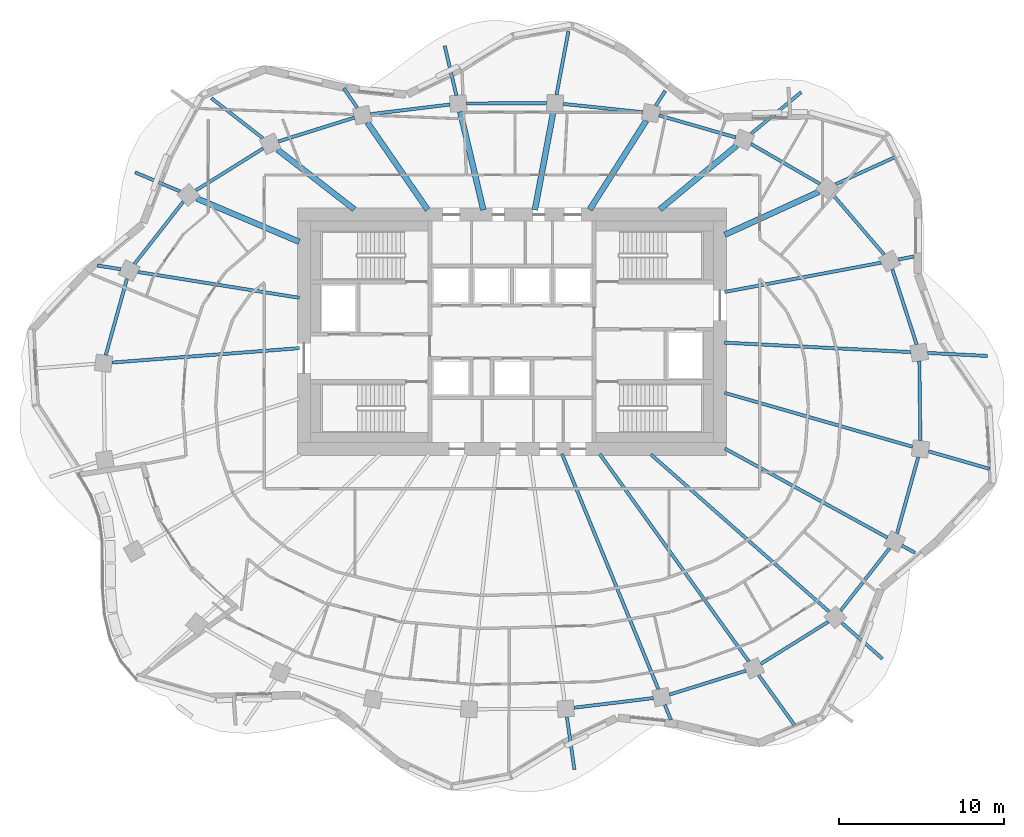
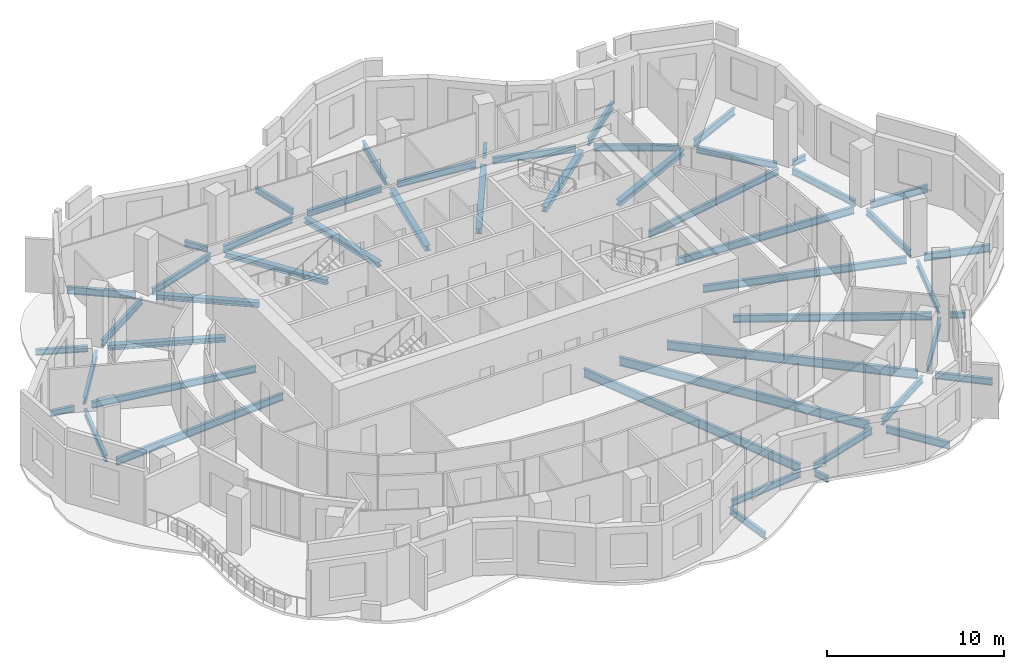
# One storey, part 3 of 13: 51 beams.
"""IFC4 building model written with IfcOpenShell, lengths in metres."""

import ifcopenshell
import ifcopenshell.guid

model = None  # the IFC model being written
_history = None  # IfcOwnerHistory: only IFC2X3 demands one
_inside = {}  # id of a spatial element -> (the spatial element, [elements in it])
_under = {}  # id of a project, library or spatial element -> (it, [spatial elements below it])
_declared = {}  # id of a project -> (the project, [libraries it declares])
_typed = {}  # id of a type object -> (the type object, [elements of that type])
_made_of = {}  # id of a material, layer set ... -> (it, [elements and type objects made of it])


def new_model(schema):
    """Start an empty IFC model of exactly this schema.

    Asked for "IFC4X3", IfcOpenShell would pick the latest addendum, in which some entities
    have other attributes; the version numbers below select the first issue.
    IFC2X3 requires an IfcOwnerHistory on every rooted entity: one is made here for all.
    """
    global model, _history
    if schema == "IFC4X3":
        model = ifcopenshell.file(schema_version=(4, 3, 0, 0))
    else:
        model = ifcopenshell.file(schema=schema)
    _inside.clear()
    _under.clear()
    _declared.clear()
    _typed.clear()
    _made_of.clear()
    _history = None
    if model.schema == "IFC2X3":
        org = make("IfcOrganization", Name="unknown")
        user = make(
            "IfcPersonAndOrganization",
            ThePerson=make("IfcPerson", FamilyName="unknown"),
            TheOrganization=org,
        )
        app = make(
            "IfcApplication",
            ApplicationDeveloper=org,
            Version="unknown",
            ApplicationFullName="unknown",
            ApplicationIdentifier="unknown",
        )
        _history = make(
            "IfcOwnerHistory",
            OwningUser=user,
            OwningApplication=app,
            ChangeAction="ADDED",
            CreationDate=0,
        )
    return model


def make(cls, **values):
    """One entity of the class cls with the attributes given. An attribute that is None is left unset."""
    return model.create_entity(
        cls, **{name: value for name, value in values.items() if value is not None}
    )


def rooted(cls, **values):
    """An entity with a GlobalId (a new one), such as an element, a storey or a relation."""
    return make(cls, GlobalId=ifcopenshell.guid.new(), OwnerHistory=_history, **values)


def si_unit(unit_type, name, prefix=None):
    """IfcSIUnit, for example si_unit("LENGTHUNIT", "METRE", prefix="MILLI")."""
    return make("IfcSIUnit", UnitType=unit_type, Prefix=prefix, Name=name)


def assignment(units):
    """IfcUnitAssignment: the units of a project."""
    return None if units is None else make("IfcUnitAssignment", Units=units)


def point(xyz):
    """IfcCartesianPoint."""
    return None if xyz is None else make("IfcCartesianPoint", Coordinates=xyz)


def direction(xyz):
    """IfcDirection."""
    return None if xyz is None else make("IfcDirection", DirectionRatios=xyz)


def frame(location, z_axis=None, x_axis=None):
    """IfcAxis2Placement3D, a coordinate frame: its origin and axes. An axis left out is left unset."""
    return make(
        "IfcAxis2Placement3D",
        Location=point(location),
        Axis=direction(z_axis),
        RefDirection=direction(x_axis),
    )


def frame_2d(location, x_axis=None):
    """IfcAxis2Placement2D, a coordinate frame in the plane: its origin and x axis."""
    return make(
        "IfcAxis2Placement2D", Location=point(location), RefDirection=direction(x_axis)
    )


def origin():
    """The frame at (0, 0, 0) with its axes left unset."""
    return frame((0.0, 0.0, 0.0))


def origin_2d():
    """The frame at (0, 0) in the plane with its x axis left unset."""
    return frame_2d((0.0, 0.0))


def place(relative_to, where):
    """IfcLocalPlacement: puts the frame where relative to a parent placement (None: the world)."""
    return make(
        "IfcLocalPlacement", PlacementRelTo=relative_to, RelativePlacement=where
    )


def context(
    kind, dimensions, precision=None, world=None, true_north=None, identifier=None
):
    """IfcGeometricRepresentationContext, for example the 3D "Model" context."""
    return make(
        "IfcGeometricRepresentationContext",
        ContextIdentifier=identifier,
        ContextType=kind,
        CoordinateSpaceDimension=dimensions,
        Precision=precision,
        WorldCoordinateSystem=world,
        TrueNorth=true_north,
    )


def subcontext(parent, identifier, kind, view, scale=None):
    """IfcGeometricRepresentationSubContext, for example "Body" below "Model"."""
    return make(
        "IfcGeometricRepresentationSubContext",
        ContextIdentifier=identifier,
        ContextType=kind,
        ParentContext=parent,
        TargetScale=scale,
        TargetView=view,
    )


def project(units=None, contexts=None):
    """IfcProject with its units and contexts."""
    return rooted(
        "IfcProject",
        Name="project",
        RepresentationContexts=contexts,
        UnitsInContext=assignment(units),
    )


def spatial(cls, under=None, at=None, **own):
    """A site, building, storey or space (cls), placed at a placement, below another one or the project."""
    s = rooted(cls, ObjectPlacement=at, **own)
    if under is not None:
        _under.setdefault(under.id(), (under, []))[1].append(s)
    return s


def profile(cls, at=None, kind="AREA", **sizes):
    """A parametric profile (cls). Its sizes go by their IFC names, for example OverallWidth=200.0."""
    return make(cls, ProfileType=kind, Position=at, **sizes)


def i_section(**sizes):
    """IfcIShapeProfileDef."""
    return profile("IfcIShapeProfileDef", **sizes)


def extrude(swept, where, along, depth):
    """IfcExtrudedAreaSolid: the profile swept, set in the frame where, extruded along a direction by depth."""
    return make(
        "IfcExtrudedAreaSolid",
        SweptArea=swept,
        Position=where,
        ExtrudedDirection=direction(along),
        Depth=depth,
    )


def shape(context_of_items, identifier, shape_type, items):
    """IfcShapeRepresentation: the items that make up one representation, for example the "Body"."""
    return make(
        "IfcShapeRepresentation",
        ContextOfItems=context_of_items,
        RepresentationIdentifier=identifier,
        RepresentationType=shape_type,
        Items=items,
    )


def material(Name=None, Category=None):
    """IfcMaterial."""
    return make("IfcMaterial", Name=Name, Category=Category)


def material_profile(
    of_material, cross_section, Name=None, Category=None, Priority=None
):
    """IfcMaterialProfile: a cross section and its material."""
    return make(
        "IfcMaterialProfile",
        Name=Name,
        Material=of_material,
        Profile=cross_section,
        Priority=Priority,
        Category=Category,
    )


def profile_set(profiles, Name=None, composite=None):
    """IfcMaterialProfileSet."""
    return make(
        "IfcMaterialProfileSet",
        Name=Name,
        MaterialProfiles=profiles,
        CompositeProfile=composite,
    )


def made_of(thing, what):
    """Note that an element or type object is made of a material, layer set ...; save() writes the relation."""
    if what is not None:
        _made_of.setdefault(what.id(), (what, []))[1].append(thing)
    return thing


def type_object(cls, material=None, **own):
    """A type object (cls), such as IfcWallType, which elements share."""
    return made_of(rooted(cls, **own), material)


def element(
    cls,
    number,
    at=None,
    inside=None,
    cuts=None,
    type_object=None,
    material=None,
    context=None,
    identifier="Body",
    shape_type=None,
    held_by="IfcProductDefinitionShape",
    body=None,
    shapes=None,
    **own,
):
    """One element of the class cls, such as IfcWall. Its Tag is "e" and its number.

    at: its placement. inside: the storey or other place that contains it. cuts: it is an
    opening in that element (IfcRelVoidsElement). A single representation is given by context,
    identifier, shape_type and body (its items); several are given by shapes. held_by: the class
    of the entity that holds the representations. save() writes the other relations.
    """
    e = rooted(cls, Tag="e%d" % number, ObjectPlacement=at, **own)
    if body is not None:
        shapes = [shape(context, identifier, shape_type, body)]
    if shapes is not None:
        e.Representation = make(held_by, Representations=shapes)
    if inside is not None:
        _inside.setdefault(inside.id(), (inside, []))[1].append(e)
    if cuts is not None:
        rooted(
            "IfcRelVoidsElement", RelatingBuildingElement=cuts, RelatedOpeningElement=e
        )
    if type_object is not None:
        _typed.setdefault(type_object.id(), (type_object, []))[1].append(e)
    return made_of(e, material)


def aggregate(whole, parts):
    """IfcRelAggregates: a whole, such as a stair, and the parts it consists of."""
    return rooted("IfcRelAggregates", RelatingObject=whole, RelatedObjects=parts)


def save(model, path):
    """Write the relations noted so far, then the file.

    IfcRelAggregates (storeys below a building ...), IfcRelContainedInSpatialStructure (elements
    in a storey), IfcRelDefinesByType, IfcRelAssociatesMaterial and IfcRelDeclares: one each for
    every whole, place, type object, material and project.
    """
    for whole, parts in _under.values():
        aggregate(whole, parts)
    for where, things in _inside.values():
        rooted(
            "IfcRelContainedInSpatialStructure",
            RelatedElements=things,
            RelatingStructure=where,
        )
    for kind, things in _typed.values():
        rooted("IfcRelDefinesByType", RelatedObjects=things, RelatingType=kind)
    for what, things in _made_of.values():
        rooted("IfcRelAssociatesMaterial", RelatedObjects=things, RelatingMaterial=what)
    for by, libraries in _declared.values():
        rooted("IfcRelDeclares", RelatingContext=by, RelatedDefinitions=libraries)
    model.write(path)


model = new_model("IFC4")

# Units and contexts
model_context = context("Model", 3, precision=1e-05, world=origin(), true_north=direction((0.0, 1.0)))
body_context = subcontext(model_context, "Body", "Model", "MODEL_VIEW")
ifc_project = project(units=[si_unit("LENGTHUNIT", "METRE"), si_unit("AREAUNIT", "SQUARE_METRE"), si_unit("VOLUMEUNIT", "CUBIC_METRE"), si_unit("PLANEANGLEUNIT", "RADIAN"), si_unit("MASSUNIT", "GRAM", prefix="KILO")], contexts=[model_context])

# Site, building, storey
site_placement = place(None, origin())
site = spatial("IfcSite", under=ifc_project, at=site_placement, CompositionType="ELEMENT")
building_placement = place(site_placement, origin())
building = spatial("IfcBuilding", under=site, at=building_placement, Name="Rubra Terraces Tower", CompositionType="ELEMENT")
storey_placement = place(building_placement, frame((0.0, 0.0, 233.10009765625)))
storey = spatial("IfcBuildingStorey", under=building, at=storey_placement, Name="L57", CompositionType="ELEMENT", Elevation=233.10009765625)

# Beams
ifc_material = material(Name="Steel Q355B", Category="steel")
ifc_material_profile_1 = material_profile(ifc_material, i_section(OverallWidth=0.199951171875, OverallDepth=0.39990234375, WebThickness=0.008056640625, FlangeThickness=0.012939453125, at=origin_2d()), Name="HN 400x200x8x13")
ifc_profile_set_1 = profile_set([ifc_material_profile_1], Name="Steel Q355B")
beam_type_1 = type_object("IfcBeamType", Name="CANTILEVER BEAM HN 400x200x8x13", PredefinedType="BEAM", material=ifc_profile_set_1)
beam_1_placement = place(storey_placement, frame((-3.3701171875, 18.823974609375, -0.400146484375), z_axis=(-0.229158621159, 0.973389092988, 0.0), x_axis=(-0.973389092988, -0.229158621159, 0.0)))
element("IfcBeam", 1, at=beam_1_placement, inside=storey, type_object=beam_type_1, Name="beam-L57-cant-07", PredefinedType="BEAM", context=body_context, shape_type="SweptSolid", body=[
    extrude(i_section(OverallWidth=0.199951171875, OverallDepth=0.39990234375, WebThickness=0.008056640625, FlangeThickness=0.012939453125, at=origin_2d()), origin(), (0.0, 0.0, 1.0), 3.080078125),
])
beam_2_placement = place(storey_placement, frame((-20.10205078125, 13.0048828125, -0.400146484375), z_axis=(-0.920868185487, 0.389874062946, 0.0), x_axis=(-0.389874062946, -0.920868185487, 0.0)))
element("IfcBeam", 2, at=beam_2_placement, inside=storey, type_object=beam_type_1, Name="beam-L57-cant-10", PredefinedType="BEAM", context=body_context, shape_type="SweptSolid", body=[
    extrude(i_section(OverallWidth=0.199951171875, OverallDepth=0.39990234375, WebThickness=0.008056640625, FlangeThickness=0.012939453125, at=origin_2d()), origin(), (0.0, 0.0, 1.0), 2.9599609375),
])
ifc_material_profile_2 = material_profile(ifc_material, i_section(OverallWidth=0.198974609375, OverallDepth=0.446044921875, WebThickness=0.008056640625, FlangeThickness=0.011962890625, at=origin_2d()), Name="HN 446x199x8x12")
ifc_profile_set_2 = profile_set([ifc_material_profile_2], Name="Steel Q355B")
beam_type_2 = type_object("IfcBeamType", Name="CANTILEVER BEAM HN 446x199x8x12", PredefinedType="BEAM", material=ifc_profile_set_2)
beam_3_placement = place(storey_placement, frame((3.324951171875, -18.826904296875, -0.423095703125), z_axis=(0.141017135848, -0.990007155225, 0.0), x_axis=(0.990007155225, 0.141017135848, 0.0)))
element("IfcBeam", 3, at=beam_3_placement, inside=storey, type_object=beam_type_2, Name="beam-L57-cant-19", PredefinedType="BEAM", context=body_context, shape_type="SweptSolid", body=[
    extrude(i_section(OverallWidth=0.198974609375, OverallDepth=0.446044921875, WebThickness=0.008056640625, FlangeThickness=0.011962890625, at=origin_2d()), origin(), (0.0, 0.0, 1.0), 3.21337890625),
])
beam_4_placement = place(storey_placement, frame((19.969970703125, -13.123046875, -0.423095703125), z_axis=(0.749902745466, -0.661548087702, 0.0), x_axis=(0.661548087702, 0.749902745466, 0.0)))
element("IfcBeam", 4, at=beam_4_placement, inside=storey, type_object=beam_type_2, Name="beam-L57-cant-22", PredefinedType="BEAM", context=body_context, shape_type="SweptSolid", body=[
    extrude(i_section(OverallWidth=0.198974609375, OverallDepth=0.446044921875, WebThickness=0.008056640625, FlangeThickness=0.011962890625, at=origin_2d()), origin(), (0.0, 0.0, 1.0), 3.293701171875),
])
ifc_material_profile_3 = material_profile(ifc_material, i_section(OverallWidth=0.198974609375, OverallDepth=0.49609375, WebThickness=0.009033203125, FlangeThickness=0.013916015625, at=origin_2d()), Name="HN 496x199x9x14")
ifc_profile_set_3 = profile_set([ifc_material_profile_3], Name="Steel Q355B")
beam_type_3 = type_object("IfcBeamType", Name="CANTILEVER BEAM HN 496x199x9x14", PredefinedType="BEAM", material=ifc_profile_set_3)
beam_5_placement = place(storey_placement, frame((25.179931640625, 3.221923828125, -0.447998046875), z_axis=(0.998713760082, -0.050703307804, 0.0), x_axis=(0.050703307804, 0.998713760082, 0.0)))
element("IfcBeam", 5, at=beam_5_placement, inside=storey, type_object=beam_type_3, Name="beam-L57-cant-01", PredefinedType="BEAM", context=body_context, shape_type="SweptSolid", body=[
    extrude(i_section(OverallWidth=0.198974609375, OverallDepth=0.49609375, WebThickness=0.009033203125, FlangeThickness=0.013916015625, at=origin_2d()), origin(), (0.0, 0.0, 1.0), 3.625732421875),
])
beam_6_placement = place(storey_placement, frame((19.596923828125, 13.43896484375, -0.447998046875), z_axis=(0.909745347317, 0.415166717157, 0.0), x_axis=(-0.415166717157, 0.909745347317, 0.0)))
element("IfcBeam", 6, at=beam_6_placement, inside=storey, type_object=beam_type_3, Name="beam-L57-cant-03", PredefinedType="BEAM", context=body_context, shape_type="SweptSolid", body=[
    extrude(i_section(OverallWidth=0.198974609375, OverallDepth=0.49609375, WebThickness=0.009033203125, FlangeThickness=0.013916015625, at=origin_2d()), origin(), (0.0, 0.0, 1.0), 3.950439453125),
])
beam_7_placement = place(storey_placement, frame((14.47509765625, 16.4951171875, -0.447998046875), z_axis=(0.770112647774, 0.637907916347, 0.0), x_axis=(-0.637907916347, 0.770112647774, 0.0)))
element("IfcBeam", 7, at=beam_7_placement, inside=storey, type_object=beam_type_3, Name="beam-L57-cant-04", PredefinedType="BEAM", context=body_context, shape_type="SweptSolid", body=[
    extrude(i_section(OverallWidth=0.198974609375, OverallDepth=0.49609375, WebThickness=0.009033203125, FlangeThickness=0.013916015625, at=origin_2d()), origin(), (0.0, 0.0, 1.0), 3.949951171875),
])
beam_8_placement = place(storey_placement, frame((2.695068359375, 18.85400390625, -0.447998046875), z_axis=(0.184533441982, 0.982826235298, 0.0), x_axis=(-0.982826235298, 0.184533441982, 0.0)))
element("IfcBeam", 8, at=beam_8_placement, inside=storey, type_object=beam_type_3, Name="beam-L57-cant-06", PredefinedType="BEAM", context=body_context, shape_type="SweptSolid", body=[
    extrude(i_section(OverallWidth=0.198974609375, OverallDepth=0.49609375, WebThickness=0.009033203125, FlangeThickness=0.013916015625, at=origin_2d()), origin(), (0.0, 0.0, 1.0), 3.912109375),
])
beam_9_placement = place(storey_placement, frame((-15.087890625, 16.22705078125, -0.447998046875), z_axis=(-0.789618379303, 0.61359825217, 0.0), x_axis=(-0.61359825217, -0.789618379303, 0.0)))
element("IfcBeam", 9, at=beam_9_placement, inside=storey, type_object=beam_type_3, Name="beam-L57-cant-09", PredefinedType="BEAM", context=body_context, shape_type="SweptSolid", body=[
    extrude(i_section(OverallWidth=0.198974609375, OverallDepth=0.49609375, WebThickness=0.009033203125, FlangeThickness=0.013916015625, at=origin_2d()), origin(), (0.0, 0.0, 1.0), 3.9501953125),
])
beam_10_placement = place(storey_placement, frame((14.93994140625, -16.294921875, -0.447998046875), z_axis=(0.583477927211, -0.812128997424, 0.0), x_axis=(0.812128997424, 0.583477927211, 0.0)))
element("IfcBeam", 10, at=beam_10_placement, inside=storey, type_object=beam_type_3, Name="beam-L57-cant-21", PredefinedType="BEAM", context=body_context, shape_type="SweptSolid", body=[
    extrude(i_section(OverallWidth=0.198974609375, OverallDepth=0.49609375, WebThickness=0.009033203125, FlangeThickness=0.013916015625, at=origin_2d()), origin(), (0.0, 0.0, 1.0), 3.9453125),
])
beam_11_placement = place(storey_placement, frame((25.22900390625, -2.738037109375, -0.447998046875), z_axis=(0.961168845491, -0.275960958213, 0.0), x_axis=(0.275960958213, 0.961168845491, 0.0)))
element("IfcBeam", 11, at=beam_11_placement, inside=storey, type_object=beam_type_3, Name="beam-L57-cant-24", PredefinedType="BEAM", context=body_context, shape_type="SweptSolid", body=[
    extrude(i_section(OverallWidth=0.198974609375, OverallDepth=0.49609375, WebThickness=0.009033203125, FlangeThickness=0.013916015625, at=origin_2d()), origin(), (0.0, 0.0, 1.0), 3.848388671875),
])
ifc_material_profile_4 = material_profile(ifc_material, i_section(OverallWidth=0.199951171875, OverallDepth=0.39990234375, WebThickness=0.008056640625, FlangeThickness=0.012939453125, at=origin_2d()), Name="HN 400x200x8x13")
ifc_profile_set_4 = profile_set([ifc_material_profile_4], Name="Steel Q355B")
beam_type_4 = type_object("IfcBeamType", Name="CANTILEVER STUB HN 400x200x8x13", PredefinedType="BEAM", material=ifc_profile_set_4)
beam_12_placement = place(storey_placement, frame((23.39794921875, 8.884033203125, -0.400146484375), z_axis=(0.98285471524, 0.184381693047, 0.0), x_axis=(-0.184381693047, 0.98285471524, 0.0)))
element("IfcBeam", 12, at=beam_12_placement, inside=storey, type_object=beam_type_4, Name="beam-L57-cant-02", PredefinedType="BEAM", context=body_context, shape_type="SweptSolid", body=[
    extrude(i_section(OverallWidth=0.199951171875, OverallDepth=0.39990234375, WebThickness=0.008056640625, FlangeThickness=0.012939453125, at=origin_2d()), origin(), (0.0, 0.0, 1.0), 0.949462890625),
])
beam_13_placement = place(storey_placement, frame((8.7099609375, 18.201904296875, -0.400146484375), z_axis=(0.536579593342, 0.843849714113, 0.0), x_axis=(-0.843849714113, 0.536579593342, 0.0)))
element("IfcBeam", 13, at=beam_13_placement, inside=storey, type_object=beam_type_4, Name="beam-L57-cant-05", PredefinedType="BEAM", context=body_context, shape_type="SweptSolid", body=[
    extrude(i_section(OverallWidth=0.199951171875, OverallDepth=0.39990234375, WebThickness=0.008056640625, FlangeThickness=0.012939453125, at=origin_2d()), origin(), (0.0, 0.0, 1.0), 1.06787109375),
])
beam_14_placement = place(storey_placement, frame((-9.3701171875, 18.070068359375, -0.400146484375), z_axis=(-0.568440243111, 0.822724552941, 0.0), x_axis=(-0.822724552941, -0.568440243111, 0.0)))
element("IfcBeam", 14, at=beam_14_placement, inside=storey, type_object=beam_type_4, Name="beam-L57-cant-08", PredefinedType="BEAM", context=body_context, shape_type="SweptSolid", body=[
    extrude(i_section(OverallWidth=0.199951171875, OverallDepth=0.39990234375, WebThickness=0.008056640625, FlangeThickness=0.012939453125, at=origin_2d()), origin(), (0.0, 0.0, 1.0), 1.435302734375),
])
beam_15_placement = place(storey_placement, frame((-23.702880859375, 8.29296875, -0.400146484375), z_axis=(-0.987493698574, 0.157658476703, 0.0), x_axis=(-0.157658476703, -0.987493698574, 0.0)))
element("IfcBeam", 15, at=beam_15_placement, inside=storey, type_object=beam_type_4, Name="beam-L57-cant-11", PredefinedType="BEAM", context=body_context, shape_type="SweptSolid", body=[
    extrude(i_section(OverallWidth=0.199951171875, OverallDepth=0.39990234375, WebThickness=0.008056640625, FlangeThickness=0.012939453125, at=origin_2d()), origin(), (0.0, 0.0, 1.0), 1.433837890625),
])
beam_16_placement = place(storey_placement, frame((9.256103515625, -18.094970703125, -0.400146484375), z_axis=(0.378119073975, -0.925756969132, 0.0), x_axis=(0.925756969132, 0.378119073975, 0.0)))
element("IfcBeam", 16, at=beam_16_placement, inside=storey, type_object=beam_type_4, Name="beam-L57-cant-20", PredefinedType="BEAM", context=body_context, shape_type="SweptSolid", body=[
    extrude(i_section(OverallWidth=0.199951171875, OverallDepth=0.39990234375, WebThickness=0.008056640625, FlangeThickness=0.012939453125, at=origin_2d()), origin(), (0.0, 0.0, 1.0), 0.980712890625),
])
beam_17_placement = place(storey_placement, frame((23.6240234375, -8.449951171875, -0.400146484375), z_axis=(0.876376358267, -0.481626908168, 0.0), x_axis=(0.481626908168, 0.876376358267, 0.0)))
element("IfcBeam", 17, at=beam_17_placement, inside=storey, type_object=beam_type_4, Name="beam-L57-cant-23", PredefinedType="BEAM", context=body_context, shape_type="SweptSolid", body=[
    extrude(i_section(OverallWidth=0.199951171875, OverallDepth=0.39990234375, WebThickness=0.008056640625, FlangeThickness=0.012939453125, at=origin_2d()), origin(), (0.0, 0.0, 1.0), 0.899169921875),
])
ifc_material_profile_5 = material_profile(ifc_material, i_section(OverallWidth=0.198974609375, OverallDepth=0.446044921875, WebThickness=0.008056640625, FlangeThickness=0.011962890625, at=origin_2d()), Name="HN 446x199x8x12")
ifc_profile_set_5 = profile_set([ifc_material_profile_5], Name="Steel Q355B")
beam_type_5 = type_object("IfcBeamType", Name="FLOOR BEAM HN 446x199x8x12", PredefinedType="BEAM", material=ifc_profile_set_5)
beam_18_placement = place(storey_placement, frame((22.360107421875, 8.68994140625, -0.423095703125), z_axis=(-0.982895681695, -0.18416318553, 0.0), x_axis=(0.18416318553, -0.982895681695, 0.0)))
element("IfcBeam", 18, at=beam_18_placement, inside=storey, type_object=beam_type_5, Name="beam-L57-floor-02", PredefinedType="BEAM", context=body_context, shape_type="SweptSolid", body=[
    extrude(i_section(OverallWidth=0.198974609375, OverallDepth=0.446044921875, WebThickness=0.008056640625, FlangeThickness=0.011962890625, at=origin_2d()), origin(), (0.0, 0.0, 1.0), 9.64306640625),
])
beam_19_placement = place(storey_placement, frame((-22.6669921875, 8.126953125, -0.423095703125), z_axis=(0.987435404133, -0.158023171289, 0.0), x_axis=(0.158023171289, 0.987435404133, 0.0)))
element("IfcBeam", 19, at=beam_19_placement, inside=storey, type_object=beam_type_5, Name="beam-L57-floor-11", PredefinedType="BEAM", context=body_context, shape_type="SweptSolid", body=[
    extrude(i_section(OverallWidth=0.198974609375, OverallDepth=0.446044921875, WebThickness=0.008056640625, FlangeThickness=0.011962890625, at=origin_2d()), origin(), (0.0, 0.0, 1.0), 9.909423828125),
])
ifc_material_profile_6 = material_profile(ifc_material, i_section(OverallWidth=0.198974609375, OverallDepth=0.49609375, WebThickness=0.009033203125, FlangeThickness=0.013916015625, at=origin_2d()), Name="HN 496x199x9x14")
ifc_profile_set_6 = profile_set([ifc_material_profile_6], Name="Steel Q355B")
beam_type_6 = type_object("IfcBeamType", Name="FLOOR BEAM HN 496x199x9x14", PredefinedType="BEAM", material=ifc_profile_set_6)
beam_20_placement = place(storey_placement, frame((24.157958984375, 3.27392578125, -0.447998046875), z_axis=(-0.998716228561, 0.050654662269, 0.0), x_axis=(-0.050654662269, -0.998716228561, 0.0)))
element("IfcBeam", 20, at=beam_20_placement, inside=storey, type_object=beam_type_6, Name="beam-L57-floor-01", PredefinedType="BEAM", context=body_context, shape_type="SweptSolid", body=[
    extrude(i_section(OverallWidth=0.198974609375, OverallDepth=0.49609375, WebThickness=0.009033203125, FlangeThickness=0.013916015625, at=origin_2d()), origin(), (0.0, 0.0, 1.0), 11.29248046875),
])
beam_21_placement = place(storey_placement, frame((-24.23388671875, 2.637939453125, -0.447998046875), z_axis=(0.997063306908, 0.076581734234, 0.0), x_axis=(-0.076581734234, 0.997063306908, 0.0)))
element("IfcBeam", 21, at=beam_21_placement, inside=storey, type_object=beam_type_6, Name="beam-L57-floor-12", PredefinedType="BEAM", context=body_context, shape_type="SweptSolid", body=[
    extrude(i_section(OverallWidth=0.198974609375, OverallDepth=0.49609375, WebThickness=0.009033203125, FlangeThickness=0.013916015625, at=origin_2d()), origin(), (0.0, 0.0, 1.0), 11.387451171875),
])
beam_22_placement = place(storey_placement, frame((22.74609375, -7.969970703125, -0.447998046875), z_axis=(-0.876862055903, 0.480742066932, 0.0), x_axis=(-0.480742066932, -0.876862055903, 0.0)))
element("IfcBeam", 22, at=beam_22_placement, inside=storey, type_object=beam_type_6, Name="beam-L57-floor-23", PredefinedType="BEAM", context=body_context, shape_type="SweptSolid", body=[
    extrude(i_section(OverallWidth=0.198974609375, OverallDepth=0.49609375, WebThickness=0.009033203125, FlangeThickness=0.013916015625, at=origin_2d()), origin(), (0.0, 0.0, 1.0), 11.234375),
])
beam_23_placement = place(storey_placement, frame((24.257080078125, -2.4599609375, -0.447998046875), z_axis=(-0.961215754667, 0.275797521707, 0.0), x_axis=(-0.275797521707, -0.961215754667, 0.0)))
element("IfcBeam", 23, at=beam_23_placement, inside=storey, type_object=beam_type_6, Name="beam-L57-floor-24", PredefinedType="BEAM", context=body_context, shape_type="SweptSolid", body=[
    extrude(i_section(OverallWidth=0.198974609375, OverallDepth=0.49609375, WebThickness=0.009033203125, FlangeThickness=0.013916015625, at=origin_2d()), origin(), (0.0, 0.0, 1.0), 11.830810546875),
])
ifc_material_profile_7 = material_profile(ifc_material, i_section(OverallWidth=0.198974609375, OverallDepth=0.595947265625, WebThickness=0.010009765625, FlangeThickness=0.014892578125, at=origin_2d()), Name="HN 596x199x10x15")
ifc_profile_set_7 = profile_set([ifc_material_profile_7], Name="Steel Q355B")
beam_type_7 = type_object("IfcBeamType", Name="FLOOR BEAM HN 596x199x10x15", PredefinedType="BEAM", material=ifc_profile_set_7)
beam_24_placement = place(storey_placement, frame((8.8701171875, -17.155029296875, -0.498046875), z_axis=(-0.379015131933, 0.925390474214, 0.0), x_axis=(-0.925390474214, -0.379015131933, 0.0)))
element("IfcBeam", 24, at=beam_24_placement, inside=storey, type_object=beam_type_7, Name="beam-L57-floor-20", PredefinedType="BEAM", context=body_context, shape_type="SweptSolid", body=[
    extrude(i_section(OverallWidth=0.198974609375, OverallDepth=0.595947265625, WebThickness=0.010009765625, FlangeThickness=0.014892578125, at=origin_2d()), origin(), (0.0, 0.0, 1.0), 15.416259765625),
])
beam_25_placement = place(storey_placement, frame((14.345947265625, -15.467041015625, -0.498046875), z_axis=(-0.583528740197, 0.812092488183, 0.0), x_axis=(-0.812092488183, -0.583528740197, 0.0)))
element("IfcBeam", 25, at=beam_25_placement, inside=storey, type_object=beam_type_7, Name="beam-L57-floor-21", PredefinedType="BEAM", context=body_context, shape_type="SweptSolid", body=[
    extrude(i_section(OverallWidth=0.198974609375, OverallDepth=0.595947265625, WebThickness=0.010009765625, FlangeThickness=0.014892578125, at=origin_2d()), origin(), (0.0, 0.0, 1.0), 15.47119140625),
])
beam_26_placement = place(storey_placement, frame((19.216064453125, -12.45703125, -0.498046875), z_axis=(-0.749823025288, 0.661638444128, 0.0), x_axis=(-0.661638444128, -0.749823025288, 0.0)))
element("IfcBeam", 26, at=beam_26_placement, inside=storey, type_object=beam_type_7, Name="beam-L57-floor-22", PredefinedType="BEAM", context=body_context, shape_type="SweptSolid", body=[
    extrude(i_section(OverallWidth=0.198974609375, OverallDepth=0.595947265625, WebThickness=0.010009765625, FlangeThickness=0.014892578125, at=origin_2d()), origin(), (0.0, 0.0, 1.0), 14.412841796875),
])
ifc_material_profile_8 = material_profile(ifc_material, i_section(OverallWidth=0.35009765625, OverallDepth=0.35009765625, WebThickness=0.011962890625, FlangeThickness=0.01904296875, at=origin_2d()), Name="HW 350x350x12x19")
ifc_profile_set_8 = profile_set([ifc_material_profile_8], Name="Steel Q355B")
beam_type_8 = type_object("IfcBeamType", Name="FLOOR BEAM HW 350x350x12x19", PredefinedType="BEAM", material=ifc_profile_set_8)
beam_27_placement = place(storey_placement, frame((18.5869140625, 12.97900390625, -0.375), z_axis=(-0.909756526533, -0.415142219523, 0.0), x_axis=(0.415142219523, -0.909756526533, 0.0)))
element("IfcBeam", 27, at=beam_27_placement, inside=storey, type_object=beam_type_8, Name="beam-L57-floor-03", PredefinedType="BEAM", context=body_context, shape_type="SweptSolid", body=[
    extrude(i_section(OverallWidth=0.35009765625, OverallDepth=0.35009765625, WebThickness=0.011962890625, FlangeThickness=0.01904296875, at=origin_2d()), origin(), (0.0, 0.0, 1.0), 6.2607421875),
])
beam_28_placement = place(storey_placement, frame((13.60888671875, 15.777099609375, -0.375), z_axis=(-0.769987518392, -0.638058948312, 0.0), x_axis=(0.638058948312, -0.769987518392, 0.0)))
element("IfcBeam", 28, at=beam_28_placement, inside=storey, type_object=beam_type_8, Name="beam-L57-floor-04", PredefinedType="BEAM", context=body_context, shape_type="SweptSolid", body=[
    extrude(i_section(OverallWidth=0.35009765625, OverallDepth=0.35009765625, WebThickness=0.011962890625, FlangeThickness=0.01904296875, at=origin_2d()), origin(), (0.0, 0.0, 1.0), 6.040283203125),
])
beam_29_placement = place(storey_placement, frame((8.134033203125, 17.2958984375, -0.375), z_axis=(-0.536509861106, -0.843894050776, 0.0), x_axis=(0.843894050776, -0.536509861106, 0.0)))
element("IfcBeam", 29, at=beam_29_placement, inside=storey, type_object=beam_type_8, Name="beam-L57-floor-05", PredefinedType="BEAM", context=body_context, shape_type="SweptSolid", body=[
    extrude(i_section(OverallWidth=0.35009765625, OverallDepth=0.35009765625, WebThickness=0.011962890625, FlangeThickness=0.01904296875, at=origin_2d()), origin(), (0.0, 0.0, 1.0), 6.395263671875),
])
beam_30_placement = place(storey_placement, frame((2.509033203125, 17.862060546875, -0.375), z_axis=(-0.184574398021, -0.982818544593, 0.0), x_axis=(0.982818544593, -0.184574398021, 0.0)))
element("IfcBeam", 30, at=beam_30_placement, inside=storey, type_object=beam_type_8, Name="beam-L57-floor-06", PredefinedType="BEAM", context=body_context, shape_type="SweptSolid", body=[
    extrude(i_section(OverallWidth=0.35009765625, OverallDepth=0.35009765625, WebThickness=0.011962890625, FlangeThickness=0.01904296875, at=origin_2d()), origin(), (0.0, 0.0, 1.0), 6.08447265625),
])
beam_31_placement = place(storey_placement, frame((-3.137939453125, 17.8359375, -0.375), z_axis=(0.229070485592, -0.973409837957, 0.0), x_axis=(0.973409837957, 0.229070485592, 0.0)))
element("IfcBeam", 31, at=beam_31_placement, inside=storey, type_object=beam_type_8, Name="beam-L57-floor-07", PredefinedType="BEAM", context=body_context, shape_type="SweptSolid", body=[
    extrude(i_section(OverallWidth=0.35009765625, OverallDepth=0.35009765625, WebThickness=0.011962890625, FlangeThickness=0.01904296875, at=origin_2d()), origin(), (0.0, 0.0, 1.0), 6.115478515625),
])
beam_32_placement = place(storey_placement, frame((-8.756103515625, 17.179931640625, -0.375), z_axis=(0.568186422001, -0.822899866238, 0.0), x_axis=(0.822899866238, 0.568186422001, 0.0)))
element("IfcBeam", 32, at=beam_32_placement, inside=storey, type_object=beam_type_8, Name="beam-L57-floor-08", PredefinedType="BEAM", context=body_context, shape_type="SweptSolid", body=[
    extrude(i_section(OverallWidth=0.35009765625, OverallDepth=0.35009765625, WebThickness=0.011962890625, FlangeThickness=0.01904296875, at=origin_2d()), origin(), (0.0, 0.0, 1.0), 6.415283203125),
])
beam_33_placement = place(storey_placement, frame((-14.197998046875, 15.534912109375, -0.375), z_axis=(0.789548898228, -0.613687654517, 0.0), x_axis=(0.613687654517, 0.789548898228, 0.0)))
element("IfcBeam", 33, at=beam_33_placement, inside=storey, type_object=beam_type_8, Name="beam-L57-floor-09", PredefinedType="BEAM", context=body_context, shape_type="SweptSolid", body=[
    extrude(i_section(OverallWidth=0.35009765625, OverallDepth=0.35009765625, WebThickness=0.011962890625, FlangeThickness=0.01904296875, at=origin_2d()), origin(), (0.0, 0.0, 1.0), 5.880615234375),
])
beam_34_placement = place(storey_placement, frame((-19.083984375, 12.574951171875, -0.375), z_axis=(0.92097476483, -0.38962223056, 0.0), x_axis=(0.38962223056, 0.92097476483, 0.0)))
element("IfcBeam", 34, at=beam_34_placement, inside=storey, type_object=beam_type_8, Name="beam-L57-floor-10", PredefinedType="BEAM", context=body_context, shape_type="SweptSolid", body=[
    extrude(i_section(OverallWidth=0.35009765625, OverallDepth=0.35009765625, WebThickness=0.011962890625, FlangeThickness=0.01904296875, at=origin_2d()), origin(), (0.0, 0.0, 1.0), 6.7265625),
])
ifc_material_profile_9 = material_profile(ifc_material, i_section(OverallWidth=0.198974609375, OverallDepth=0.446044921875, WebThickness=0.008056640625, FlangeThickness=0.011962890625, at=origin_2d()), Name="HN 446x199x8x12")
ifc_profile_set_9 = profile_set([ifc_material_profile_9], Name="Steel Q355B")
beam_type_9 = type_object("IfcBeamType", Name="SPANDREL BEAM HN 446x199x8x12", PredefinedType="SPANDREL", material=ifc_profile_set_9)
beam_35_placement = place(storey_placement, frame((24.512939453125, 3.72900390625, -0.423095703125), z_axis=(-0.307359002872, 0.951593633519, 0.0), x_axis=(-0.951593633519, -0.307359002872, 0.0)))
element("IfcBeam", 35, at=beam_35_placement, inside=storey, type_object=beam_type_9, Name="beam-L57-spandrel-01", PredefinedType="SPANDREL", context=body_context, shape_type="SweptSolid", body=[
    extrude(i_section(OverallWidth=0.198974609375, OverallDepth=0.446044921875, WebThickness=0.008056640625, FlangeThickness=0.011962890625, at=origin_2d()), origin(), (0.0, 0.0, 1.0), 4.8056640625),
])
beam_36_placement = place(storey_placement, frame((22.547119140625, 9.174072265625, -0.423095703125), z_axis=(-0.650372836218, 0.759615148552, 0.0), x_axis=(-0.759615148552, -0.650372836218, 0.0)))
element("IfcBeam", 36, at=beam_36_placement, inside=storey, type_object=beam_type_9, Name="beam-L57-spandrel-02", PredefinedType="SPANDREL", context=body_context, shape_type="SweptSolid", body=[
    extrude(i_section(OverallWidth=0.198974609375, OverallDepth=0.446044921875, WebThickness=0.008056640625, FlangeThickness=0.011962890625, at=origin_2d()), origin(), (0.0, 0.0, 1.0), 4.804931640625),
])
beam_37_placement = place(storey_placement, frame((18.653076171875, 13.462890625, -0.423095703125), z_axis=(-0.865153680787, 0.501506838059, 0.0), x_axis=(-0.501506838059, -0.865153680787, 0.0)))
element("IfcBeam", 37, at=beam_37_placement, inside=storey, type_object=beam_type_9, Name="beam-L57-spandrel-03", PredefinedType="SPANDREL", context=body_context, shape_type="SweptSolid", body=[
    extrude(i_section(OverallWidth=0.198974609375, OverallDepth=0.446044921875, WebThickness=0.008056640625, FlangeThickness=0.011962890625, at=origin_2d()), origin(), (0.0, 0.0, 1.0), 4.82568359375),
])
beam_38_placement = place(storey_placement, frame((13.55810546875, 16.27490234375, -0.423095703125), z_axis=(-0.961171164323, 0.275952881621, 0.0), x_axis=(-0.275952881621, -0.961171164323, 0.0)))
element("IfcBeam", 38, at=beam_38_placement, inside=storey, type_object=beam_type_9, Name="beam-L57-spandrel-04", PredefinedType="SPANDREL", context=body_context, shape_type="SweptSolid", body=[
    extrude(i_section(OverallWidth=0.198974609375, OverallDepth=0.446044921875, WebThickness=0.008056640625, FlangeThickness=0.011962890625, at=origin_2d()), origin(), (0.0, 0.0, 1.0), 4.842041015625),
])
beam_39_placement = place(storey_placement, frame((7.923095703125, 17.801025390625, -0.423095703125), z_axis=(-0.994565426955, 0.104113454971, 0.0), x_axis=(-0.104113454971, -0.994565426955, 0.0)))
element("IfcBeam", 39, at=beam_39_placement, inside=storey, type_object=beam_type_9, Name="beam-L57-spandrel-05", PredefinedType="SPANDREL", context=body_context, shape_type="SweptSolid", body=[
    extrude(i_section(OverallWidth=0.198974609375, OverallDepth=0.446044921875, WebThickness=0.008056640625, FlangeThickness=0.011962890625, at=origin_2d()), origin(), (0.0, 0.0, 1.0), 4.849365234375),
])
beam_40_placement = place(storey_placement, frame((2.10107421875, 18.35595703125, -0.423095703125), z_axis=(-0.999987852299, -0.004929021704, 0.0), x_axis=(0.004929021704, -0.999987852299, 0.0)))
element("IfcBeam", 40, at=beam_40_placement, inside=storey, type_object=beam_type_9, Name="beam-L57-spandrel-06", PredefinedType="SPANDREL", context=body_context, shape_type="SweptSolid", body=[
    extrude(i_section(OverallWidth=0.198974609375, OverallDepth=0.446044921875, WebThickness=0.008056640625, FlangeThickness=0.011962890625, at=origin_2d()), origin(), (0.0, 0.0, 1.0), 4.85400390625),
])
beam_41_placement = place(storey_placement, frame((-3.7509765625, 18.27001953125, -0.423095703125), z_axis=(-0.992698018573, -0.120626049929, 0.0), x_axis=(0.120626049929, -0.992698018573, 0.0)))
element("IfcBeam", 41, at=beam_41_placement, inside=storey, type_object=beam_type_9, Name="beam-L57-spandrel-07", PredefinedType="SPANDREL", context=body_context, shape_type="SweptSolid", body=[
    extrude(i_section(OverallWidth=0.198974609375, OverallDepth=0.446044921875, WebThickness=0.008056640625, FlangeThickness=0.011962890625, at=origin_2d()), origin(), (0.0, 0.0, 1.0), 4.849365234375),
])
beam_42_placement = place(storey_placement, frame((-9.5419921875, 17.47509765625, -0.423095703125), z_axis=(-0.954462027342, -0.298332429282, 0.0), x_axis=(0.298332429282, -0.954462027342, 0.0)))
element("IfcBeam", 42, at=beam_42_placement, inside=storey, type_object=beam_type_9, Name="beam-L57-spandrel-08", PredefinedType="SPANDREL", context=body_context, shape_type="SweptSolid", body=[
    extrude(i_section(OverallWidth=0.198974609375, OverallDepth=0.446044921875, WebThickness=0.008056640625, FlangeThickness=0.011962890625, at=origin_2d()), origin(), (0.0, 0.0, 1.0), 4.840576171875),
])
beam_43_placement = place(storey_placement, frame((-15.071044921875, 15.614013671875, -0.423095703125), z_axis=(-0.848183088492, -0.529703170083, 0.0), x_axis=(0.529703170083, -0.848183088492, 0.0)))
element("IfcBeam", 43, at=beam_43_placement, inside=storey, type_object=beam_type_9, Name="beam-L57-spandrel-09", PredefinedType="SPANDREL", context=body_context, shape_type="SweptSolid", body=[
    extrude(i_section(OverallWidth=0.198974609375, OverallDepth=0.446044921875, WebThickness=0.008056640625, FlangeThickness=0.011962890625, at=origin_2d()), origin(), (0.0, 0.0, 1.0), 4.8232421875),
])
beam_44_placement = place(storey_placement, frame((-19.906005859375, 12.39111328125, -0.423095703125), z_axis=(-0.617060338015, -0.786915840004, 0.0), x_axis=(0.786915840004, -0.617060338015, 0.0)))
element("IfcBeam", 44, at=beam_44_placement, inside=storey, type_object=beam_type_9, Name="beam-L57-spandrel-10", PredefinedType="SPANDREL", context=body_context, shape_type="SweptSolid", body=[
    extrude(i_section(OverallWidth=0.198974609375, OverallDepth=0.446044921875, WebThickness=0.008056640625, FlangeThickness=0.011962890625, at=origin_2d()), origin(), (0.0, 0.0, 1.0), 4.8037109375),
])
beam_45_placement = place(storey_placement, frame((-23.321044921875, 7.718994140625, -0.423095703125), z_axis=(-0.267625533012, -0.963523001324, 0.0), x_axis=(0.963523001324, -0.267625533012, 0.0)))
element("IfcBeam", 45, at=beam_45_placement, inside=storey, type_object=beam_type_9, Name="beam-L57-spandrel-11", PredefinedType="SPANDREL", context=body_context, shape_type="SweptSolid", body=[
    extrude(i_section(OverallWidth=0.198974609375, OverallDepth=0.446044921875, WebThickness=0.008056640625, FlangeThickness=0.011962890625, at=origin_2d()), origin(), (0.0, 0.0, 1.0), 4.808349609375),
])
beam_46_placement = place(storey_placement, frame((3.7509765625, -18.27001953125, -0.423095703125), z_axis=(0.992698018573, 0.120626049929, 0.0), x_axis=(-0.120626049929, 0.992698018573, 0.0)))
element("IfcBeam", 46, at=beam_46_placement, inside=storey, type_object=beam_type_9, Name="beam-L57-spandrel-19", PredefinedType="SPANDREL", context=body_context, shape_type="SweptSolid", body=[
    extrude(i_section(OverallWidth=0.198974609375, OverallDepth=0.446044921875, WebThickness=0.008056640625, FlangeThickness=0.011962890625, at=origin_2d()), origin(), (0.0, 0.0, 1.0), 4.849365234375),
])
beam_47_placement = place(storey_placement, frame((9.5419921875, -17.47509765625, -0.423095703125), z_axis=(0.954462027342, 0.298332429282, 0.0), x_axis=(-0.298332429282, 0.954462027342, 0.0)))
element("IfcBeam", 47, at=beam_47_placement, inside=storey, type_object=beam_type_9, Name="beam-L57-spandrel-20", PredefinedType="SPANDREL", context=body_context, shape_type="SweptSolid", body=[
    extrude(i_section(OverallWidth=0.198974609375, OverallDepth=0.446044921875, WebThickness=0.008056640625, FlangeThickness=0.011962890625, at=origin_2d()), origin(), (0.0, 0.0, 1.0), 4.840576171875),
])
beam_48_placement = place(storey_placement, frame((15.071044921875, -15.614013671875, -0.423095703125), z_axis=(0.848183088492, 0.529703170083, 0.0), x_axis=(-0.529703170083, 0.848183088492, 0.0)))
element("IfcBeam", 48, at=beam_48_placement, inside=storey, type_object=beam_type_9, Name="beam-L57-spandrel-21", PredefinedType="SPANDREL", context=body_context, shape_type="SweptSolid", body=[
    extrude(i_section(OverallWidth=0.198974609375, OverallDepth=0.446044921875, WebThickness=0.008056640625, FlangeThickness=0.011962890625, at=origin_2d()), origin(), (0.0, 0.0, 1.0), 4.8232421875),
])
beam_49_placement = place(storey_placement, frame((19.906005859375, -12.39111328125, -0.423095703125), z_axis=(0.617060338015, 0.786915840004, 0.0), x_axis=(-0.786915840004, 0.617060338015, 0.0)))
element("IfcBeam", 49, at=beam_49_placement, inside=storey, type_object=beam_type_9, Name="beam-L57-spandrel-22", PredefinedType="SPANDREL", context=body_context, shape_type="SweptSolid", body=[
    extrude(i_section(OverallWidth=0.198974609375, OverallDepth=0.446044921875, WebThickness=0.008056640625, FlangeThickness=0.011962890625, at=origin_2d()), origin(), (0.0, 0.0, 1.0), 4.8037109375),
])
beam_50_placement = place(storey_placement, frame((23.321044921875, -7.718994140625, -0.423095703125), z_axis=(0.267625533012, 0.963523001324, 0.0), x_axis=(-0.963523001324, 0.267625533012, 0.0)))
element("IfcBeam", 50, at=beam_50_placement, inside=storey, type_object=beam_type_9, Name="beam-L57-spandrel-23", PredefinedType="SPANDREL", context=body_context, shape_type="SweptSolid", body=[
    extrude(i_section(OverallWidth=0.198974609375, OverallDepth=0.446044921875, WebThickness=0.008056640625, FlangeThickness=0.011962890625, at=origin_2d()), origin(), (0.0, 0.0, 1.0), 4.808349609375),
])
beam_51_placement = place(storey_placement, frame((24.737060546875, -2.093994140625, -0.423095703125), z_axis=(-0.012822047643, 0.999917794168, 0.0), x_axis=(-0.999917794168, -0.012822047643, 0.0)))
element("IfcBeam", 51, at=beam_51_placement, inside=storey, type_object=beam_type_9, Name="beam-L57-spandrel-24", PredefinedType="SPANDREL", context=body_context, shape_type="SweptSolid", body=[
    extrude(i_section(OverallWidth=0.198974609375, OverallDepth=0.446044921875, WebThickness=0.008056640625, FlangeThickness=0.011962890625, at=origin_2d()), origin(), (0.0, 0.0, 1.0), 4.83642578125),
])

save(model, "model.ifc")
